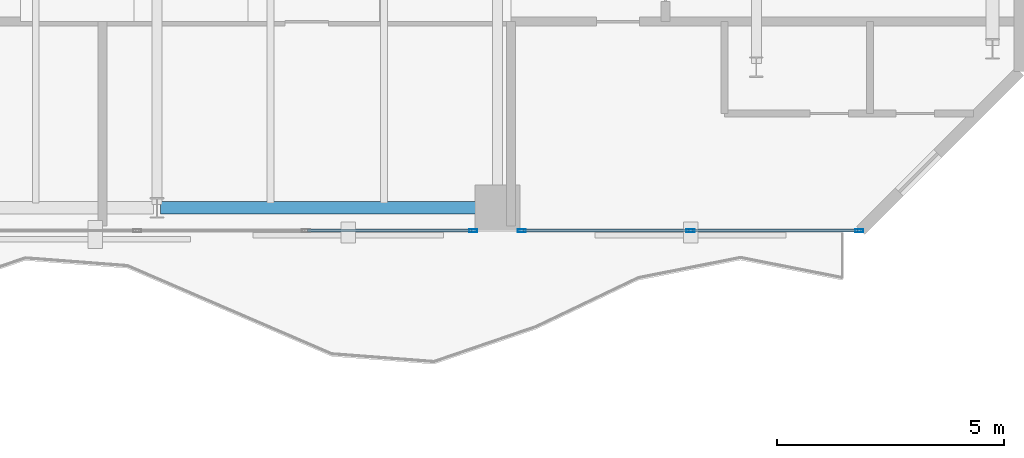
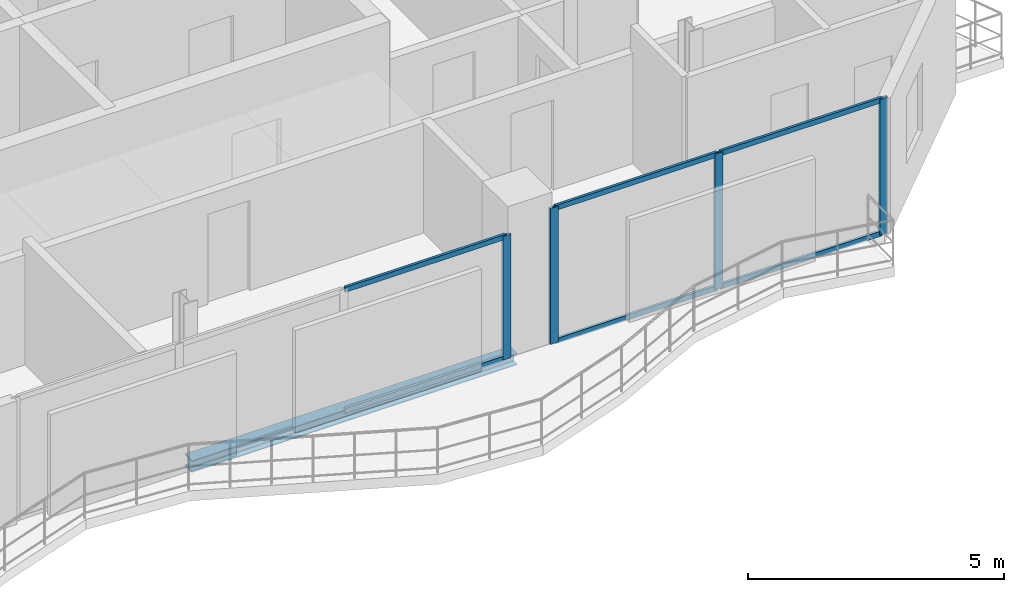
# One storey, part 12 of 23: 10 members, 1 beam, 2 elements without a shape of their own.
"""IFC4 building model written with IfcOpenShell, lengths in metres."""

from ifc_helpers import new_model, si_unit, direction, frame, origin, origin_2d, place, context, subcontext, project, spatial, hollow_rectangle, i_section, extrude, material, layer, layer_set, material_profile, profile_set, type_object, element, aggregate, save


model = new_model("IFC4")

# Units and contexts
model_context = context("Model", 3, precision=1e-05, world=origin(), true_north=direction((0.0, 1.0)))
body_context = subcontext(model_context, "Body", "Model", "MODEL_VIEW")
ifc_project = project(units=[si_unit("LENGTHUNIT", "METRE"), si_unit("AREAUNIT", "SQUARE_METRE"), si_unit("VOLUMEUNIT", "CUBIC_METRE"), si_unit("PLANEANGLEUNIT", "RADIAN"), si_unit("MASSUNIT", "GRAM", prefix="KILO")], contexts=[model_context])

# Site, building, storey
site_placement = place(None, origin())
site = spatial("IfcSite", under=ifc_project, at=site_placement, CompositionType="ELEMENT")
building_placement = place(site_placement, origin())
building = spatial("IfcBuilding", under=site, at=building_placement, Name="Catumbela Crestline Tower", CompositionType="ELEMENT")
storey_placement = place(building_placement, frame((0.0, 0.0, 204.6)))
storey = spatial("IfcBuildingStorey", under=building, at=storey_placement, Name="L53", CompositionType="ELEMENT", Elevation=204.6)

# Curtain wall, member
ifc_material_1 = material(Name="Aluminium alloy AW-6060-T66", Category="aluminium")
ifc_layer = layer(ifc_material_1, 0.18, Name="Aluminium alloy AW-6060-T66")
ifc_layer_set = layer_set([ifc_layer], Name="Aluminium alloy AW-6060-T66")
curtain_wall_type = type_object("IfcCurtainWallType", Name="CWU-Z3", PredefinedType="USERDEFINED", material=ifc_layer_set)
curtain_wall_1_placement = place(storey_placement, origin())
curtain_wall_1 = element("IfcCurtainWall", 1, at=curtain_wall_1_placement, inside=storey, type_object=curtain_wall_type, Name="L53 Unitised Curtain Wall CW-L53-E3S2", ObjectType="UNITISED", PredefinedType="USERDEFINED")
ifc_material_profile_1 = material_profile(ifc_material_1, hollow_rectangle(XDim=0.065, YDim=0.18, WallThickness=0.004, at=origin_2d()), Name="ALU 180x65x4")
ifc_profile_set_1 = profile_set([ifc_material_profile_1], Name="Aluminium alloy AW-6060-T66")
member_type_1 = type_object("IfcMemberType", Name="MUL-180X65", PredefinedType="MULLION", material=ifc_profile_set_1)
member_1_placement = place(storey_placement, frame((38.9675, 24.0, 0.0), z_axis=(0.0, 0.0, 1.0), x_axis=(0.0, 1.0, 0.0)))
member_1 = element("IfcMember", 2, at=member_1_placement, type_object=member_type_1, Name="CWU-Z3 mullion 4", PredefinedType="MULLION", context=body_context, shape_type="SweptSolid", body=[
    extrude(hollow_rectangle(XDim=0.065, YDim=0.18, WallThickness=0.004, at=origin_2d()), origin(), (0.0, 0.0, 1.0), 2.95),
])

# Curtain wall, members
curtain_wall_2_placement = place(storey_placement, origin())
curtain_wall_2 = element("IfcCurtainWall", 3, at=curtain_wall_2_placement, inside=storey, type_object=curtain_wall_type, Name="L53 Unitised Curtain Wall CW-L53-E3S3", ObjectType="UNITISED", PredefinedType="USERDEFINED")
member_2_placement = place(storey_placement, frame((40.0325, 24.0, 0.0), z_axis=(0.0, 0.0, 1.0), x_axis=(0.0, 1.0, 0.0)))
member_2 = element("IfcMember", 4, at=member_2_placement, type_object=member_type_1, Name="CWU-Z3 mullion 1", PredefinedType="MULLION", context=body_context, shape_type="SweptSolid", body=[
    extrude(hollow_rectangle(XDim=0.065, YDim=0.18, WallThickness=0.004, at=origin_2d()), origin(), (0.0, 0.0, 1.0), 3.24),
])
member_3_placement = place(storey_placement, frame((43.75, 24.0, 0.0), z_axis=(0.0, 0.0, 1.0), x_axis=(0.0, 1.0, 0.0)))
member_3 = element("IfcMember", 5, at=member_3_placement, type_object=member_type_1, Name="CWU-Z3 mullion 2", PredefinedType="MULLION", context=body_context, shape_type="SweptSolid", body=[
    extrude(hollow_rectangle(XDim=0.065, YDim=0.18, WallThickness=0.004, at=origin_2d()), origin(), (0.0, 0.0, 1.0), 3.24),
])
member_4_placement = place(storey_placement, frame((47.4675, 24.0, 0.0), z_axis=(0.0, 0.0, 1.0), x_axis=(0.0, 1.0, 0.0)))
member_4 = element("IfcMember", 6, at=member_4_placement, type_object=member_type_1, Name="CWU-Z3 mullion 3", PredefinedType="MULLION", context=body_context, shape_type="SweptSolid", body=[
    extrude(hollow_rectangle(XDim=0.065, YDim=0.18, WallThickness=0.004, at=origin_2d()), origin(), (0.0, 0.0, 1.0), 3.24),
])

# Beam
ifc_material_2 = material(Name="Structural steel S355J2", Category="steel")
ifc_material_profile_2 = material_profile(ifc_material_2, i_section(OverallWidth=0.28, OverallDepth=0.28, WebThickness=0.0105, FlangeThickness=0.018, FilletRadius=0.024, at=origin_2d()), Name="HEB 280")
ifc_profile_set_2 = profile_set([ifc_material_profile_2], Name="Structural steel S355J2")
beam_type = type_object("IfcBeamType", Name="BS-HEB280", PredefinedType="SPANDREL", material=ifc_profile_set_2)
beam_placement = place(storey_placement, frame((32.08, 24.5, -0.4), z_axis=(1.0, 0.0, 0.0), x_axis=(0.0, 1.0, 0.0)))
element("IfcBeam", 7, at=beam_placement, inside=storey, type_object=beam_type, Name="L53 Spandrel SP-L53-S05", PredefinedType="SPANDREL", context=body_context, shape_type="SweptSolid", body=[
    extrude(i_section(OverallWidth=0.28, OverallDepth=0.28, WebThickness=0.0105, FlangeThickness=0.018, FilletRadius=0.024, at=origin_2d()), origin(), (0.0, 0.0, 1.0), 7.34),
])

# Member
ifc_material_profile_3 = material_profile(ifc_material_1, hollow_rectangle(XDim=0.06, YDim=0.12, WallThickness=0.0035, at=origin_2d()), Name="ALU 120x60x3.5")
ifc_profile_set_3 = profile_set([ifc_material_profile_3], Name="Aluminium alloy AW-6060-T66")
member_type_2 = type_object("IfcMemberType", Name="TRN-120X60", PredefinedType="USERDEFINED", material=ifc_profile_set_3)
member_5_placement = place(storey_placement, frame((35.3158, 24.0, 0.03), z_axis=(1.0, 0.0, 0.0), x_axis=(0.0, 1.0, 0.0)))
member_5 = element("IfcMember", 8, at=member_5_placement, type_object=member_type_2, Name="CWU-Z3 transom 3.1", ObjectType="TRANSOM", PredefinedType="USERDEFINED", context=body_context, shape_type="SweptSolid", body=[
    extrude(hollow_rectangle(XDim=0.06, YDim=0.12, WallThickness=0.0035, at=origin_2d()), origin(), (0.0, 0.0, 1.0), 3.6192),
])

member_6_placement = place(storey_placement, frame((35.3158, 24.0, 2.92), z_axis=(1.0, 0.0, 0.0), x_axis=(0.0, 1.0, 0.0)))
member_6 = element("IfcMember", 9, at=member_6_placement, type_object=member_type_2, Name="CWU-Z3 transom 3.2", ObjectType="TRANSOM", PredefinedType="USERDEFINED", context=body_context, shape_type="SweptSolid", body=[
    extrude(hollow_rectangle(XDim=0.06, YDim=0.12, WallThickness=0.0035, at=origin_2d()), origin(), (0.0, 0.0, 1.0), 3.6192),
])

aggregate(curtain_wall_1, [member_1, member_5, member_6])

member_7_placement = place(storey_placement, frame((40.065, 24.0, 0.03), z_axis=(1.0, 0.0, 0.0), x_axis=(0.0, 1.0, 0.0)))
member_7 = element("IfcMember", 10, at=member_7_placement, type_object=member_type_2, Name="CWU-Z3 transom 1.1", ObjectType="TRANSOM", PredefinedType="USERDEFINED", context=body_context, shape_type="SweptSolid", body=[
    extrude(hollow_rectangle(XDim=0.06, YDim=0.12, WallThickness=0.0035, at=origin_2d()), origin(), (0.0, 0.0, 1.0), 3.6525),
])

member_8_placement = place(storey_placement, frame((40.065, 24.0, 3.21), z_axis=(1.0, 0.0, 0.0), x_axis=(0.0, 1.0, 0.0)))
member_8 = element("IfcMember", 11, at=member_8_placement, type_object=member_type_2, Name="CWU-Z3 transom 1.2", ObjectType="TRANSOM", PredefinedType="USERDEFINED", context=body_context, shape_type="SweptSolid", body=[
    extrude(hollow_rectangle(XDim=0.06, YDim=0.12, WallThickness=0.0035, at=origin_2d()), origin(), (0.0, 0.0, 1.0), 3.6525),
])

member_9_placement = place(storey_placement, frame((43.7825, 24.0, 0.03), z_axis=(1.0, 0.0, 0.0), x_axis=(0.0, 1.0, 0.0)))
member_9 = element("IfcMember", 12, at=member_9_placement, type_object=member_type_2, Name="CWU-Z3 transom 2.1", ObjectType="TRANSOM", PredefinedType="USERDEFINED", context=body_context, shape_type="SweptSolid", body=[
    extrude(hollow_rectangle(XDim=0.06, YDim=0.12, WallThickness=0.0035, at=origin_2d()), origin(), (0.0, 0.0, 1.0), 3.6525),
])

member_10_placement = place(storey_placement, frame((43.7825, 24.0, 3.21), z_axis=(1.0, 0.0, 0.0), x_axis=(0.0, 1.0, 0.0)))
member_10 = element("IfcMember", 13, at=member_10_placement, type_object=member_type_2, Name="CWU-Z3 transom 2.2", ObjectType="TRANSOM", PredefinedType="USERDEFINED", context=body_context, shape_type="SweptSolid", body=[
    extrude(hollow_rectangle(XDim=0.06, YDim=0.12, WallThickness=0.0035, at=origin_2d()), origin(), (0.0, 0.0, 1.0), 3.6525),
])

aggregate(curtain_wall_2, [member_2, member_3, member_4, member_7, member_8, member_9, member_10])

save(model, "model.ifc")
